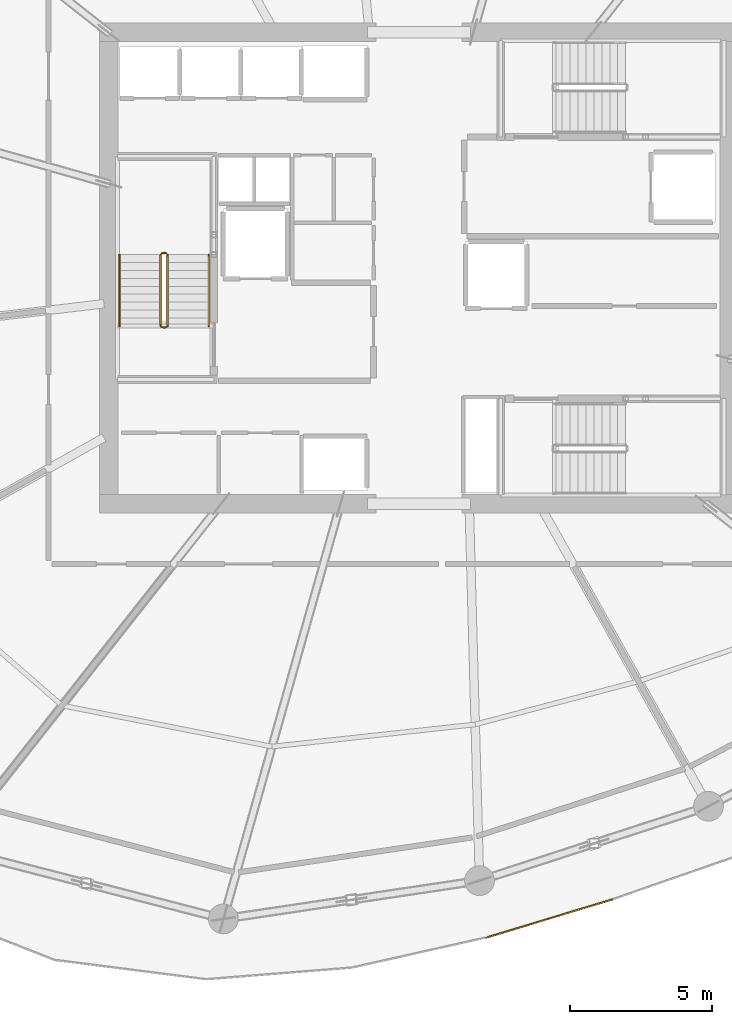
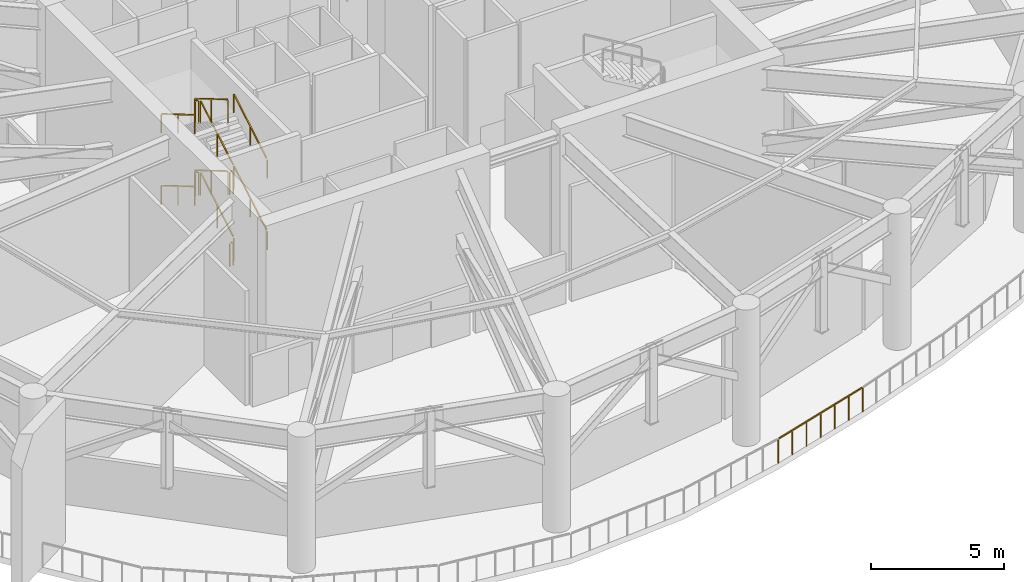
# One storey, part 17 of 20: 13 railings.
"""IFC4 building model written with IfcOpenShell, lengths in metres."""

from ifc_helpers import new_model, si_unit, direction, frame, origin, origin_2d, place, context, subcontext, project, spatial, rectangle, extrude, material, type_object, element, save


model = new_model("IFC4")

# Units and contexts
model_context = context("Model", 3, precision=1e-05, world=origin(), true_north=direction((0.0, 1.0)))
body_context = subcontext(model_context, "Body", "Model", "MODEL_VIEW")
ifc_project = project(units=[si_unit("LENGTHUNIT", "METRE"), si_unit("AREAUNIT", "SQUARE_METRE"), si_unit("VOLUMEUNIT", "CUBIC_METRE"), si_unit("PLANEANGLEUNIT", "RADIAN"), si_unit("MASSUNIT", "GRAM", prefix="KILO")], contexts=[model_context])

# Site, building, storey
site_placement = place(None, origin())
site = spatial("IfcSite", under=ifc_project, at=site_placement, CompositionType="ELEMENT")
building_placement = place(site_placement, origin())
building = spatial("IfcBuilding", under=site, at=building_placement, Name="Kazma Halo Residences", CompositionType="ELEMENT")
storey_placement = place(building_placement, frame((0.0, 0.0, 225.300048828125)))
storey = spatial("IfcBuildingStorey", under=building, at=storey_placement, Name="L57", CompositionType="ELEMENT", Elevation=225.300048828125)

# Railings
ifc_material_1 = material(Name="Brushed Stainless Steel and Laminated Glass", Category="steel")
railing_type_1 = type_object("IfcRailingType", Name="RLG-EXT-GUARD-1150", PredefinedType="GUARDRAIL", material=ifc_material_1)
railing_1_placement = place(storey_placement, frame((50.798583984375, 18.35498046875, 0.0)))
element("IfcRailing", 1, at=railing_1_placement, inside=storey, type_object=railing_type_1, Name="L57 open wind-floor perimeter guard 24", PredefinedType="GUARDRAIL", context=body_context, shape_type="SweptSolid", body=[
    extrude(rectangle(XDim=0.050048828125, YDim=0.050048828125, at=origin_2d()), frame((0.040771484375, 0.01220703125, 1.125), z_axis=(0.957247301834, 0.28927081279, 0.0), x_axis=(-0.28927081279, 0.957247301834, 0.0)), (0.0, 0.0, 1.0), 4.56103515625),
    extrude(rectangle(XDim=0.0400390625, YDim=0.0400390625, at=origin_2d()), origin(), (0.0, 0.0, 1.0), 1.087890625),
    extrude(rectangle(XDim=0.0400390625, YDim=0.0400390625, at=origin_2d()), frame((0.7412109375, 0.22412109375, 0.0)), (0.0, 0.0, 1.0), 1.087890625),
    extrude(rectangle(XDim=0.0400390625, YDim=0.0400390625, at=origin_2d()), frame((1.482421875, 0.447998046875, 0.0)), (0.0, 0.0, 1.0), 1.087890625),
    extrude(rectangle(XDim=0.0400390625, YDim=0.0400390625, at=origin_2d()), frame((2.2236328125, 0.671875, 0.0)), (0.0, 0.0, 1.0), 1.087890625),
    extrude(rectangle(XDim=0.0400390625, YDim=0.0400390625, at=origin_2d()), frame((2.965087890625, 0.89599609375, 0.0)), (0.0, 0.0, 1.0), 1.087890625),
    extrude(rectangle(XDim=0.0400390625, YDim=0.0400390625, at=origin_2d()), frame((3.706298828125, 1.1201171875, 0.0)), (0.0, 0.0, 1.0), 1.087890625),
    extrude(rectangle(XDim=0.0400390625, YDim=0.0400390625, at=origin_2d()), frame((4.447509765625, 1.343994140625, 0.0)), (0.0, 0.0, 1.0), 1.087890625),
])
ifc_material_2 = material(Name="Painted Steel S355", Category="steel")
railing_type_2 = type_object("IfcRailingType", Name="RLG-STAIR-GRD-1100", PredefinedType="GUARDRAIL", material=ifc_material_2)
railing_2_placement = place(storey_placement, frame((39.550048828125, 39.949951171875, 0.1650390625)))
element("IfcRailing", 2, at=railing_2_placement, inside=storey, type_object=railing_type_2, Name="L57 ST-01 stair guard 1", PredefinedType="GUARDRAIL", context=body_context, shape_type="SweptSolid", body=[
    extrude(rectangle(XDim=0.050048828125, YDim=0.050048828125, at=origin_2d()), frame((0.0, 0.03662109375, 1.0966796875), z_axis=(0.0, 0.861560626758, 0.507654692109), x_axis=(-1.0, 0.0, 0.0)), (0.0, 0.0, 1.0), 2.83984375),
    extrude(rectangle(XDim=0.0400390625, YDim=0.0400390625, at=origin_2d()), origin(), (0.0, 0.0, 1.0), 1.0380859375),
    extrude(rectangle(XDim=0.0400390625, YDim=0.0400390625, at=origin_2d()), frame((0.0, 1.260009765625, 0.742431640625)), (0.0, 0.0, 1.0), 1.0380859375),
    extrude(rectangle(XDim=0.0400390625, YDim=0.0400390625, at=origin_2d()), frame((0.0, 2.52001953125, 1.48486328125)), (0.0, 0.0, 1.0), 1.0380859375),
])
railing_3_placement = place(storey_placement, frame((39.5, 42.52001953125, 1.64990234375)))
element("IfcRailing", 3, at=railing_3_placement, inside=storey, type_object=railing_type_2, Name="L57 ST-01 stair guard 2", PredefinedType="GUARDRAIL", context=body_context, shape_type="SweptSolid", body=[
    extrude(rectangle(XDim=0.050048828125, YDim=0.050048828125, at=origin_2d()), frame((-0.04248046875, 0.0, 1.0751953125), z_axis=(-1.0, 0.0, 0.0), x_axis=(0.0, -1.0, 0.0)), (0.0, 0.0, 1.0), 0.06494140625),
    extrude(rectangle(XDim=0.0400390625, YDim=0.0400390625, at=origin_2d()), origin(), (0.0, 0.0, 1.0), 1.0380859375),
    extrude(rectangle(XDim=0.0400390625, YDim=0.0400390625, at=origin_2d()), frame((-0.14990234375, 0.0, 0.0)), (0.0, 0.0, 1.0), 1.0380859375),
])
railing_4_placement = place(storey_placement, frame((39.300048828125, 42.469970703125, 1.81494140625)))
element("IfcRailing", 4, at=railing_4_placement, inside=storey, type_object=railing_type_2, Name="L57 ST-01 stair guard 3", PredefinedType="GUARDRAIL", context=body_context, shape_type="SweptSolid", body=[
    extrude(rectangle(XDim=0.050048828125, YDim=0.050048828125, at=origin_2d()), frame((0.0, -0.03662109375, 1.0966796875), z_axis=(0.0, -0.86152411907, 0.507716645641), x_axis=(1.0, 0.0, 0.0)), (0.0, 0.0, 1.0), 2.840087890625),
    extrude(rectangle(XDim=0.0400390625, YDim=0.0400390625, at=origin_2d()), origin(), (0.0, 0.0, 1.0), 1.0380859375),
    extrude(rectangle(XDim=0.0400390625, YDim=0.0400390625, at=origin_2d()), frame((0.0, -1.260009765625, 0.74267578125)), (0.0, 0.0, 1.0), 1.0380859375),
    extrude(rectangle(XDim=0.0400390625, YDim=0.0400390625, at=origin_2d()), frame((0.0, -2.52001953125, 1.485107421875)), (0.0, 0.0, 1.0), 1.0380859375),
])
railing_5_placement = place(storey_placement, frame((39.5, 39.89990234375, 3.300048828125)))
element("IfcRailing", 5, at=railing_5_placement, inside=storey, type_object=railing_type_2, Name="L57 ST-01 stair guard 4", PredefinedType="GUARDRAIL", context=body_context, shape_type="SweptSolid", body=[
    extrude(rectangle(XDim=0.050048828125, YDim=0.050048828125, at=origin_2d()), frame((-0.04248046875, 0.0, 1.0751953125), z_axis=(-1.0, 0.0, 0.0), x_axis=(0.0, -1.0, 0.0)), (0.0, 0.0, 1.0), 0.06494140625),
    extrude(rectangle(XDim=0.0400390625, YDim=0.0400390625, at=origin_2d()), origin(), (0.0, 0.0, 1.0), 1.0380859375),
    extrude(rectangle(XDim=0.0400390625, YDim=0.0400390625, at=origin_2d()), frame((-0.14990234375, 0.0, 0.0)), (0.0, 0.0, 1.0), 1.0380859375),
])
railing_6_placement = place(storey_placement, frame((39.550048828125, 39.949951171875, 3.46484375)))
element("IfcRailing", 6, at=railing_6_placement, inside=storey, type_object=railing_type_2, Name="L57 ST-01 stair guard 5", PredefinedType="GUARDRAIL", context=body_context, shape_type="SweptSolid", body=[
    extrude(rectangle(XDim=0.050048828125, YDim=0.050048828125, at=origin_2d()), frame((0.0, 0.03662109375, 1.0966796875), z_axis=(0.0, 0.86152411907, 0.507716645641), x_axis=(-1.0, 0.0, 0.0)), (0.0, 0.0, 1.0), 2.840087890625),
    extrude(rectangle(XDim=0.0400390625, YDim=0.0400390625, at=origin_2d()), origin(), (0.0, 0.0, 1.0), 1.0380859375),
    extrude(rectangle(XDim=0.0400390625, YDim=0.0400390625, at=origin_2d()), frame((0.0, 1.260009765625, 0.74267578125)), (0.0, 0.0, 1.0), 1.0380859375),
    extrude(rectangle(XDim=0.0400390625, YDim=0.0400390625, at=origin_2d()), frame((0.0, 2.52001953125, 1.485107421875)), (0.0, 0.0, 1.0), 1.0380859375),
])
railing_7_placement = place(storey_placement, frame((39.5, 42.52001953125, 4.949951171875)))
element("IfcRailing", 7, at=railing_7_placement, inside=storey, type_object=railing_type_2, Name="L57 ST-01 stair guard 6", PredefinedType="GUARDRAIL", context=body_context, shape_type="SweptSolid", body=[
    extrude(rectangle(XDim=0.050048828125, YDim=0.050048828125, at=origin_2d()), frame((-0.04248046875, 0.0, 1.0751953125), z_axis=(-1.0, 0.0, 0.0), x_axis=(0.0, -1.0, 0.0)), (0.0, 0.0, 1.0), 0.06494140625),
    extrude(rectangle(XDim=0.0400390625, YDim=0.0400390625, at=origin_2d()), origin(), (0.0, 0.0, 1.0), 1.0380859375),
    extrude(rectangle(XDim=0.0400390625, YDim=0.0400390625, at=origin_2d()), frame((-0.14990234375, 0.0, 0.0)), (0.0, 0.0, 1.0), 1.0380859375),
])
railing_8_placement = place(storey_placement, frame((39.300048828125, 42.469970703125, 5.114990234375)))
element("IfcRailing", 8, at=railing_8_placement, inside=storey, type_object=railing_type_2, Name="L57 ST-01 stair guard 7", PredefinedType="GUARDRAIL", context=body_context, shape_type="SweptSolid", body=[
    extrude(rectangle(XDim=0.050048828125, YDim=0.050048828125, at=origin_2d()), frame((0.0, -0.03662109375, 1.0966796875), z_axis=(0.0, -0.861560626758, 0.507654692109), x_axis=(1.0, 0.0, 0.0)), (0.0, 0.0, 1.0), 2.83984375),
    extrude(rectangle(XDim=0.0400390625, YDim=0.0400390625, at=origin_2d()), origin(), (0.0, 0.0, 1.0), 1.0380859375),
    extrude(rectangle(XDim=0.0400390625, YDim=0.0400390625, at=origin_2d()), frame((0.0, -1.260009765625, 0.742431640625)), (0.0, 0.0, 1.0), 1.0380859375),
    extrude(rectangle(XDim=0.0400390625, YDim=0.0400390625, at=origin_2d()), frame((0.0, -2.52001953125, 1.48486328125)), (0.0, 0.0, 1.0), 1.0380859375),
])
railing_9_placement = place(storey_placement, frame((39.5, 39.89990234375, 0.0)))
element("IfcRailing", 9, at=railing_9_placement, inside=storey, type_object=railing_type_2, Name="L57 ST-01 stair guard 8", PredefinedType="GUARDRAIL", context=body_context, shape_type="SweptSolid", body=[
    extrude(rectangle(XDim=0.050048828125, YDim=0.050048828125, at=origin_2d()), frame((-0.04248046875, 0.0, 1.0751953125), z_axis=(-1.0, 0.0, 0.0), x_axis=(0.0, -1.0, 0.0)), (0.0, 0.0, 1.0), 0.06494140625),
    extrude(rectangle(XDim=0.0400390625, YDim=0.0400390625, at=origin_2d()), origin(), (0.0, 0.0, 1.0), 1.0380859375),
    extrude(rectangle(XDim=0.0400390625, YDim=0.0400390625, at=origin_2d()), frame((-0.14990234375, 0.0, 0.0)), (0.0, 0.0, 1.0), 1.0380859375),
])
ifc_material_3 = material(Name="Brushed Stainless Steel", Category="steel")
railing_type_3 = type_object("IfcRailingType", Name="RLG-STAIR-HND-900", PredefinedType="HANDRAIL", material=ifc_material_3)
railing_10_placement = place(storey_placement, frame((41.0, 39.949951171875, 0.1650390625)))
element("IfcRailing", 10, at=railing_10_placement, inside=storey, type_object=railing_type_3, Name="L57 ST-01 stair handrail 1", PredefinedType="HANDRAIL", context=body_context, shape_type="SweptSolid", body=[
    extrude(rectangle(XDim=0.050048828125, YDim=0.050048828125, at=origin_2d()), frame((0.0, 0.03662109375, 0.896484375), z_axis=(0.0, 0.861560626758, 0.507654692109), x_axis=(-1.0, 0.0, 0.0)), (0.0, 0.0, 1.0), 2.83984375),
    extrude(rectangle(XDim=0.0400390625, YDim=0.0400390625, at=origin_2d()), origin(), (0.0, 0.0, 1.0), 0.837890625),
    extrude(rectangle(XDim=0.0400390625, YDim=0.0400390625, at=origin_2d()), frame((0.0, 1.260009765625, 0.742431640625)), (0.0, 0.0, 1.0), 0.837890625),
    extrude(rectangle(XDim=0.0400390625, YDim=0.0400390625, at=origin_2d()), frame((0.0, 2.52001953125, 1.48486328125)), (0.0, 0.0, 1.0), 0.837890625),
])
railing_11_placement = place(storey_placement, frame((37.85009765625, 42.469970703125, 1.81494140625)))
element("IfcRailing", 11, at=railing_11_placement, inside=storey, type_object=railing_type_3, Name="L57 ST-01 stair handrail 2", PredefinedType="HANDRAIL", context=body_context, shape_type="SweptSolid", body=[
    extrude(rectangle(XDim=0.050048828125, YDim=0.050048828125, at=origin_2d()), frame((0.0, -0.03662109375, 0.896484375), z_axis=(0.0, -0.86152411907, 0.507716645641), x_axis=(1.0, 0.0, 0.0)), (0.0, 0.0, 1.0), 2.840087890625),
    extrude(rectangle(XDim=0.0400390625, YDim=0.0400390625, at=origin_2d()), origin(), (0.0, 0.0, 1.0), 0.837890625),
    extrude(rectangle(XDim=0.0400390625, YDim=0.0400390625, at=origin_2d()), frame((0.0, -1.260009765625, 0.74267578125)), (0.0, 0.0, 1.0), 0.837890625),
    extrude(rectangle(XDim=0.0400390625, YDim=0.0400390625, at=origin_2d()), frame((0.0, -2.52001953125, 1.485107421875)), (0.0, 0.0, 1.0), 0.837890625),
])
railing_12_placement = place(storey_placement, frame((41.0, 39.949951171875, 3.46484375)))
element("IfcRailing", 12, at=railing_12_placement, inside=storey, type_object=railing_type_3, Name="L57 ST-01 stair handrail 3", PredefinedType="HANDRAIL", context=body_context, shape_type="SweptSolid", body=[
    extrude(rectangle(XDim=0.050048828125, YDim=0.050048828125, at=origin_2d()), frame((0.0, 0.03662109375, 0.896484375), z_axis=(0.0, 0.86152411907, 0.507716645641), x_axis=(-1.0, 0.0, 0.0)), (0.0, 0.0, 1.0), 2.840087890625),
    extrude(rectangle(XDim=0.0400390625, YDim=0.0400390625, at=origin_2d()), origin(), (0.0, 0.0, 1.0), 0.837890625),
    extrude(rectangle(XDim=0.0400390625, YDim=0.0400390625, at=origin_2d()), frame((0.0, 1.260009765625, 0.74267578125)), (0.0, 0.0, 1.0), 0.837890625),
    extrude(rectangle(XDim=0.0400390625, YDim=0.0400390625, at=origin_2d()), frame((0.0, 2.52001953125, 1.485107421875)), (0.0, 0.0, 1.0), 0.837890625),
])
railing_13_placement = place(storey_placement, frame((37.85009765625, 42.469970703125, 5.114990234375)))
element("IfcRailing", 13, at=railing_13_placement, inside=storey, type_object=railing_type_3, Name="L57 ST-01 stair handrail 4", PredefinedType="HANDRAIL", context=body_context, shape_type="SweptSolid", body=[
    extrude(rectangle(XDim=0.050048828125, YDim=0.050048828125, at=origin_2d()), frame((0.0, -0.03662109375, 0.896484375), z_axis=(0.0, -0.861560626758, 0.507654692109), x_axis=(1.0, 0.0, 0.0)), (0.0, 0.0, 1.0), 2.83984375),
    extrude(rectangle(XDim=0.0400390625, YDim=0.0400390625, at=origin_2d()), origin(), (0.0, 0.0, 1.0), 0.837890625),
    extrude(rectangle(XDim=0.0400390625, YDim=0.0400390625, at=origin_2d()), frame((0.0, -1.260009765625, 0.742431640625)), (0.0, 0.0, 1.0), 0.837890625),
    extrude(rectangle(XDim=0.0400390625, YDim=0.0400390625, at=origin_2d()), frame((0.0, -2.52001953125, 1.48486328125)), (0.0, 0.0, 1.0), 0.837890625),
])

save(model, "model.ifc")
